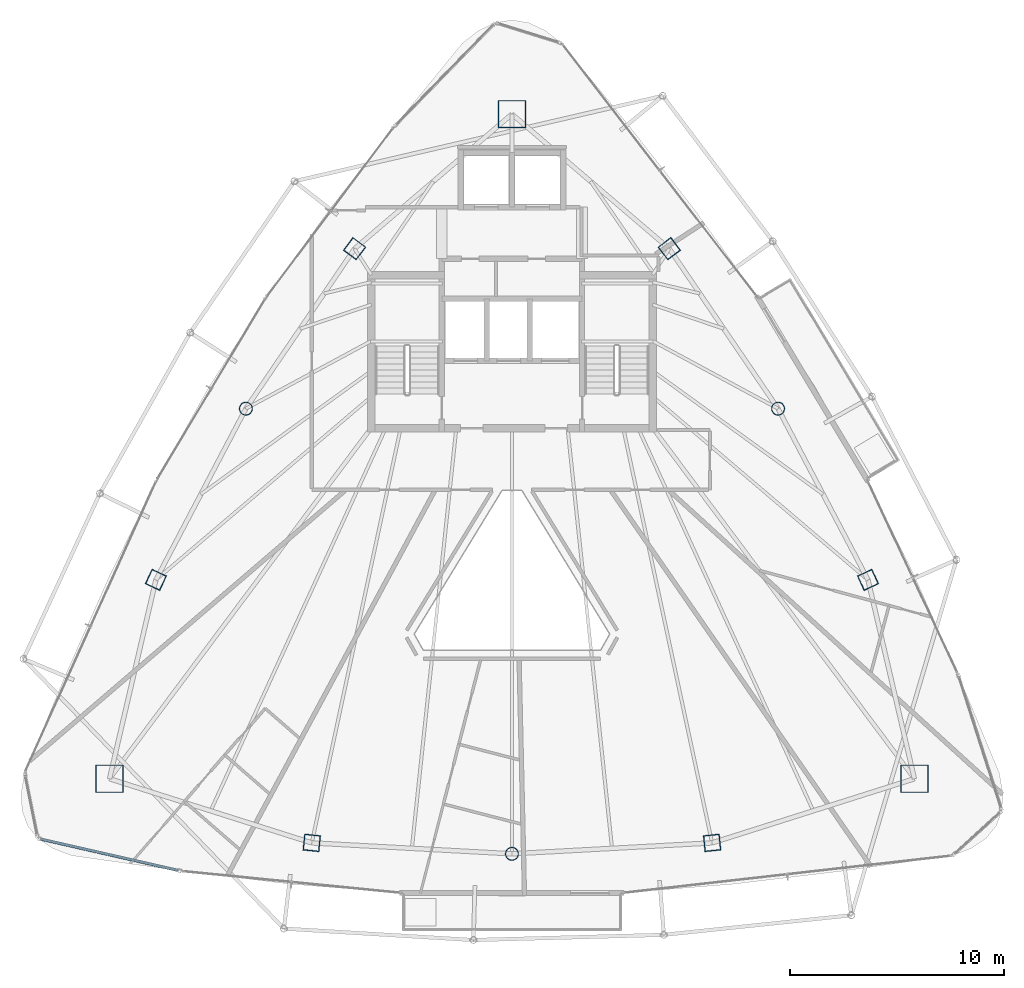
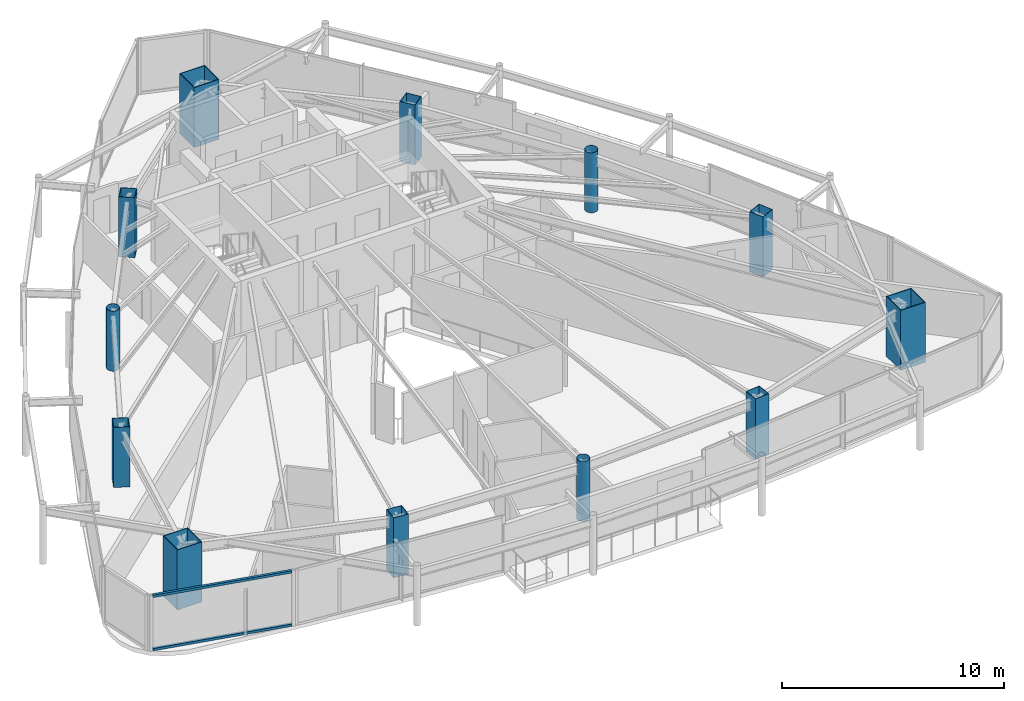
# One storey, part 1 of 30: 12 columns, 2 members, 1 element without a shape of its own.
"""IFC4 building model written with IfcOpenShell, lengths in metres."""

from ifc_helpers import new_model, si_unit, direction, frame, origin, origin_2d, place, context, subcontext, project, spatial, hollow_rectangle, hollow_circle, extrude, material, layer, layer_set, material_profile, profile_set, type_object, element, aggregate, save


model = new_model("IFC4")

# Units and contexts
model_context = context("Model", 3, precision=1e-05, world=origin(), true_north=direction((0.0, 1.0)))
body_context = subcontext(model_context, "Body", "Model", "MODEL_VIEW")
ifc_project = project(units=[si_unit("LENGTHUNIT", "METRE"), si_unit("AREAUNIT", "SQUARE_METRE"), si_unit("VOLUMEUNIT", "CUBIC_METRE"), si_unit("PLANEANGLEUNIT", "RADIAN"), si_unit("MASSUNIT", "GRAM", prefix="KILO")], contexts=[model_context])

# Site, building, storey
site_placement = place(None, origin())
site = spatial("IfcSite", under=ifc_project, at=site_placement, CompositionType="ELEMENT")
building_placement = place(site_placement, origin())
building = spatial("IfcBuilding", under=site, at=building_placement, Name="Orvanel Arch Residences", CompositionType="ELEMENT")
storey_placement = place(building_placement, frame((0.0, 0.0, 229.39990234375)))
storey = spatial("IfcBuildingStorey", under=building, at=storey_placement, Name="L65", CompositionType="ELEMENT", Elevation=229.39990234375)

# Columns
ifc_material_1 = material(Name="Structural steel AS/NZS 1163 C350L0 (Grade 350)", Category="steel")
ifc_material_profile_1 = material_profile(ifc_material_1, hollow_circle(Radius=0.304931640625, WallThickness=0.01611328125, at=origin_2d()), Name="CHS610x16")
ifc_profile_set_1 = profile_set([ifc_material_profile_1], Name="Structural steel AS/NZS 1163 C350L0 (Grade 350)")
column_type_1 = type_object("IfcColumnType", Name="CC-610", PredefinedType="COLUMN", material=ifc_profile_set_1)
for number, where, z_axis, x_axis, name in (
    (1, (20.569091796875, 27.64111328125, 0.0), (0.0, 0.0, 1.0), (1.0, 0.0, 0.0), "L65 High-Rise Tube Column 02"),
    (2, (33.0, 6.843994140625, 0.0), (0.0, 0.0, 1.0), (1.0, 0.0, 0.0), "L65 High-Rise Tube Column 05"),
    (3, (45.430908203125, 27.64111328125, 0.0), (0.0, 0.0, 1.0), (1.0, 0.0, 0.0), "L65 High-Rise Tube Column 08"),
):
    element("IfcColumn", number, at=place(storey_placement, frame(where, z_axis=z_axis, x_axis=x_axis)), inside=storey, type_object=column_type_1, Name=name, PredefinedType="COLUMN", context=body_context, shape_type="SweptSolid", body=[
        extrude(hollow_circle(Radius=0.304931640625, WallThickness=0.01611328125, at=origin_2d()), origin(), (0.0, 0.0, 1.0), 3.300048828125),
    ])
ifc_material_2 = material(Name="Structural steel AS/NZS 3678 Grade 450", Category="steel")
ifc_material_profile_2 = material_profile(ifc_material_2, hollow_rectangle(XDim=1.300048828125, YDim=1.300048828125, WallThickness=0.0400390625, at=origin_2d()), Name="BOX1300x1300x40")
ifc_profile_set_2 = profile_set([ifc_material_profile_2], Name="Structural steel AS/NZS 3678 Grade 450")
column_type_2 = type_object("IfcColumnType", Name="MC-1300", PredefinedType="COLUMN", material=ifc_profile_set_2)
for number, where, z_axis, x_axis, name in (
    (4, (33.0, 41.39794921875, 0.0), (0.0, 0.0, 1.0), (1.0, 0.0, 0.0), "L65 Corner Mega-Column 1"),
    (5, (14.198974609375, 10.35107421875, 0.0), (0.0, 0.0, 1.0), (1.0, 0.0, 0.0), "L65 Corner Mega-Column 2"),
    (6, (51.801025390625, 10.35107421875, 0.0), (0.0, 0.0, 1.0), (1.0, 0.0, 0.0), "L65 Corner Mega-Column 3"),
):
    element("IfcColumn", number, at=place(storey_placement, frame(where, z_axis=z_axis, x_axis=x_axis)), inside=storey, type_object=column_type_2, Name=name, PredefinedType="COLUMN", context=body_context, shape_type="SweptSolid", body=[
        extrude(hollow_rectangle(XDim=1.300048828125, YDim=1.300048828125, WallThickness=0.0400390625, at=origin_2d()), origin(), (0.0, 0.0, 1.0), 3.300048828125),
    ])
ifc_material_3 = material(Name="Structural steel AS/NZS 3678 Grade 350", Category="steel")
ifc_material_profile_3 = material_profile(ifc_material_3, hollow_rectangle(XDim=0.75, YDim=0.75, WallThickness=0.02490234375, at=origin_2d()), Name="BOX750x750x25")
ifc_profile_set_3 = profile_set([ifc_material_profile_3], Name="Structural steel AS/NZS 3678 Grade 350")
column_type_3 = type_object("IfcColumnType", Name="TC-750", PredefinedType="COLUMN", material=ifc_profile_set_3)
for number, where, z_axis, x_axis, name in (
    (7, (25.64794921875, 35.113037109375, 0.0), (0.0, 0.0, 1.0), (0.600420225326, 0.799684658487, 0.0), "L65 High-Rise Tube Column 01"),
    (8, (16.366943359375, 19.64208984375, 0.0), (0.0, 0.0, 1.0), (0.422618261741, 0.906307787037, 0.0), "L65 High-Rise Tube Column 03"),
    (9, (23.64892578125, 7.35498046875, 0.0), (0.0, 0.0, 1.0), (-0.994880708829, 0.101056297183, 0.0), "L65 High-Rise Tube Column 04"),
    (10, (42.35107421875, 7.35498046875, 0.0), (0.0, 0.0, 1.0), (0.994880708829, 0.101056297183, 0.0), "L65 High-Rise Tube Column 06"),
    (11, (49.633056640625, 19.64208984375, 0.0), (0.0, 0.0, 1.0), (-0.422618261741, 0.906307787037, 0.0), "L65 High-Rise Tube Column 07"),
    (12, (40.35205078125, 35.113037109375, 0.0), (0.0, 0.0, 1.0), (-0.600420225326, 0.799684658487, 0.0), "L65 High-Rise Tube Column 09"),
):
    element("IfcColumn", number, at=place(storey_placement, frame(where, z_axis=z_axis, x_axis=x_axis)), inside=storey, type_object=column_type_3, Name=name, PredefinedType="COLUMN", context=body_context, shape_type="SweptSolid", body=[
        extrude(hollow_rectangle(XDim=0.75, YDim=0.75, WallThickness=0.02490234375, at=origin_2d()), origin(), (0.0, 0.0, 1.0), 3.300048828125),
    ])

# Curtain wall, members
ifc_material_4 = material(Name="Bronze-anodised aluminium AA6063-T6", Category="aluminium")
ifc_layer = layer(ifc_material_4, 0.18994140625)
ifc_layer_set = layer_set([ifc_layer], Name="Bronze-anodised aluminium AA6063-T6")
curtain_wall_type = type_object("IfcCurtainWallType", Name="CW5-CRN-SYS", PredefinedType="NOTDEFINED", material=ifc_layer_set)
curtain_wall_placement = place(storey_placement, origin())
curtain_wall = element("IfcCurtainWall", 13, at=curtain_wall_placement, inside=storey, type_object=curtain_wall_type, Name="L65 CW5-CRN-SYS Unitised Curtain Wall", PredefinedType="NOTDEFINED")
ifc_material_profile_4 = material_profile(ifc_material_4, hollow_rectangle(XDim=0.1298828125, YDim=0.1298828125, WallThickness=0.00439453125, at=origin_2d()), Name="ALU130x130x4.5")
ifc_profile_set_4 = profile_set([ifc_material_profile_4], Name="Bronze-anodised aluminium AA6063-T6")
member_type = type_object("IfcMemberType", Name="TRN-130x130", PredefinedType="USERDEFINED", material=ifc_profile_set_4)
member_1_placement = place(storey_placement, frame((11.00927734375, 7.529541015625, 0.065185546875), z_axis=(0.974977866768, -0.22230195526, 0.0), x_axis=(0.22230195526, 0.974977866768, 0.0)))
member_1 = element("IfcMember", 14, at=member_1_placement, type_object=member_type, Name="CW-S5 transom 1.1", ObjectType="TRANSOM", PredefinedType="USERDEFINED", context=body_context, shape_type="SweptSolid", body=[
    extrude(hollow_rectangle(XDim=0.1298828125, YDim=0.1298828125, WallThickness=0.00439453125, at=origin_2d()), origin(), (0.0, 0.0, 1.0), 6.555419921875),
])
member_2_placement = place(storey_placement, frame((11.00927734375, 7.529541015625, 2.9951171875), z_axis=(0.974977866768, -0.22230195526, 0.0), x_axis=(0.22230195526, 0.974977866768, 0.0)))
member_2 = element("IfcMember", 15, at=member_2_placement, type_object=member_type, Name="CW-S5 transom 1.2", ObjectType="TRANSOM", PredefinedType="USERDEFINED", context=body_context, shape_type="SweptSolid", body=[
    extrude(hollow_rectangle(XDim=0.1298828125, YDim=0.1298828125, WallThickness=0.00439453125, at=origin_2d()), origin(), (0.0, 0.0, 1.0), 6.555419921875),
])
aggregate(curtain_wall, [member_1, member_2])

save(model, "model.ifc")
